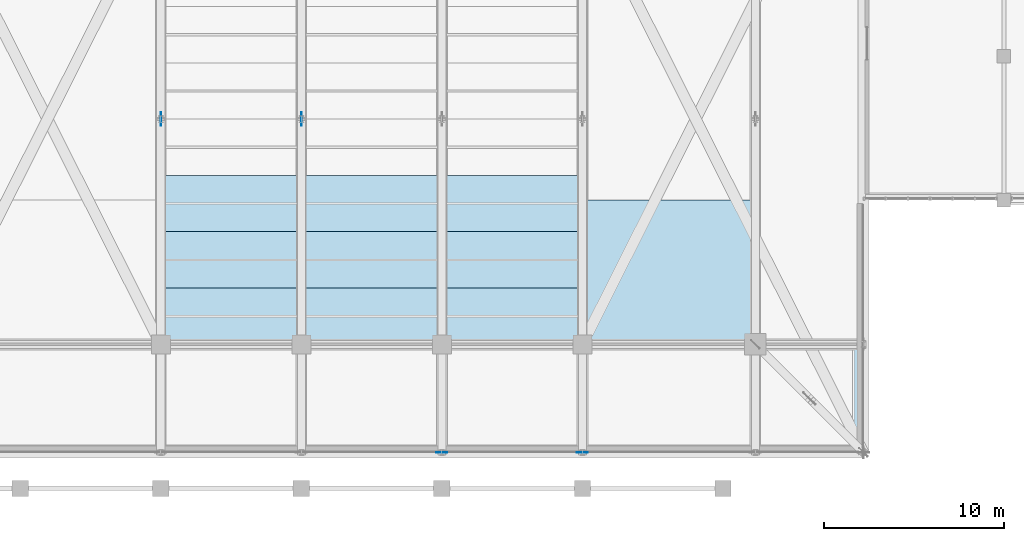
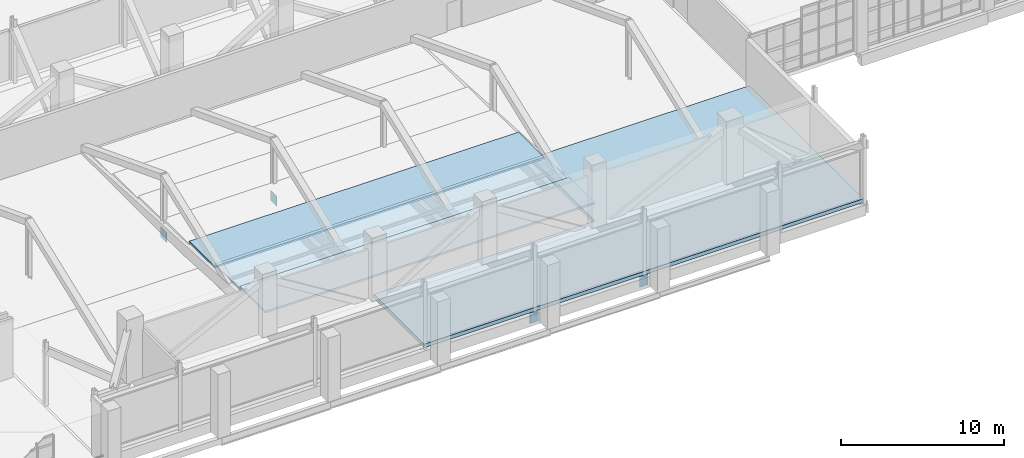
# One storey, part 92 of 127: 4 plates, 4 slabs.
"""IFC4 building model written with IfcOpenShell, lengths in metres."""

from ifc_helpers import new_model, si_unit, derived_unit, direction, frame, origin, origin_2d, place, context, subcontext, project, spatial, polyline, rectangle, outline, extrude, material, layer, layer_set, type_object, element, save


model = new_model("IFC4")

# Units and contexts
model_context = context("Model", 3, precision=1e-05, world=origin(), true_north=direction((0.0, 1.0)))
body_context = subcontext(model_context, "Body", "Model", "MODEL_VIEW")
ifc_project = project(units=[si_unit("LENGTHUNIT", "METRE"), si_unit("AREAUNIT", "SQUARE_METRE"), si_unit("VOLUMEUNIT", "CUBIC_METRE"), si_unit("PLANEANGLEUNIT", "RADIAN"), si_unit("MASSUNIT", "GRAM", prefix="KILO"), derived_unit("THERMALTRANSMITTANCEUNIT", [(si_unit("POWERUNIT", "WATT"), 1), (si_unit("LENGTHUNIT", "METRE"), -2), (si_unit("THERMODYNAMICTEMPERATUREUNIT", "KELVIN"), -1)])], contexts=[model_context])

# Site, building, storey
site_placement = place(None, origin())
site = spatial("IfcSite", under=ifc_project, at=site_placement, CompositionType="ELEMENT")
building_placement = place(site_placement, origin())
building = spatial("IfcBuilding", under=site, at=building_placement, Name="Nallur Shell Playhouse", CompositionType="ELEMENT")
storey_placement = place(building_placement, frame((0.0, 0.0, 5.39990234375)))
storey = spatial("IfcBuildingStorey", under=building, at=storey_placement, Name="L02", CompositionType="ELEMENT", Elevation=5.39990234375)

# Plates
ifc_material_1 = material(Name="Steel E350", Category="steel")
ifc_layer_1 = layer(ifc_material_1, 0.02001953125)
ifc_layer_set_1 = layer_set([ifc_layer_1], Name="Steel E350")
plate_type_1 = type_object("IfcPlateType", Name="PT-ENDCAP-20", PredefinedType="SHEET", material=ifc_layer_set_1)
for number, where, z_axis, x_axis, name in (
    (1, (95.199951171875, 9.989990234375, -1.080078125), (0.0, 0.0, 1.0), (1.0, 0.0, 0.0), "Hollow end cap EC-TT-6-BC0"),
    (2, (103.0, 9.989990234375, -1.080078125), (0.0, 0.0, 1.0), (1.0, 0.0, 0.0), "Hollow end cap EC-TT-7-BC0"),
):
    element("IfcPlate", number, at=place(storey_placement, frame(where, z_axis=z_axis, x_axis=x_axis)), inside=storey, type_object=plate_type_1, Name=name, PredefinedType="SHEET", context=body_context, shape_type="SweptSolid", body=[
        extrude(rectangle(XDim=0.60009765625, YDim=0.02001953125, at=origin_2d()), origin(), (0.0, 0.0, 1.0), 0.800048828125),
    ])
ifc_layer_2 = layer(ifc_material_1, 0.02490234375)
ifc_layer_set_2 = layer_set([ifc_layer_2], Name="Steel E350")
plate_type_2 = type_object("IfcPlateType", Name="PT-GUSSET-25", PredefinedType="USERDEFINED", material=ifc_layer_set_2)
for number, where, z_axis, x_axis, name in (
    (3, (79.60009765625, 28.5, -0.635009765625), (0.0, 0.0, 1.0), (1.0, 0.0, 0.0), "Transfer truss node gusset plate TN-01 (TT-4-3)"),
    (4, (87.39990234375, 28.5, -0.635009765625), (0.0, 0.0, 1.0), (1.0, 0.0, 0.0), "Transfer truss node gusset plate TN-01 (TT-5-3)"),
):
    element("IfcPlate", number, at=place(storey_placement, frame(where, z_axis=z_axis, x_axis=x_axis)), inside=storey, type_object=plate_type_2, Name=name, ObjectType="GUSSET PLATE", PredefinedType="USERDEFINED", context=body_context, shape_type="SweptSolid", body=[
        extrude(rectangle(XDim=0.02490234375, YDim=0.75, at=origin_2d()), origin(), (0.0, 0.0, 1.0), 0.75),
    ])

# Slabs
ifc_material_2 = material(Name="Precast concrete M40", Category="concrete")
ifc_layer_3 = layer(ifc_material_2, 0.139892578125)
ifc_layer_set_3 = layer_set([ifc_layer_3], Name="Precast concrete M40")
slab_type_1 = type_object("IfcSlabType", Name="SL-TIER-140", PredefinedType="USERDEFINED", material=ifc_layer_set_3)
slab_1_placement = place(storey_placement, frame((0.0, 0.0, 1.010009765625)))
element("IfcSlab", 5, at=slab_1_placement, inside=storey, type_object=slab_type_1, Name="Stand stalls seating tier row 6", ObjectType="SEATING TIER", PredefinedType="USERDEFINED", context=body_context, shape_type="SweptSolid", body=[
    extrude(outline(polyline([(79.60009765625, 25.375), (103.0, 25.375), (103.0, 22.25), (79.60009765625, 22.25), (79.60009765625, 25.375)])), origin(), (0.0, 0.0, 1.0), 0.14013671875),
])
slab_2_placement = place(storey_placement, frame((0.0, 0.0, 1.210205078125)))
element("IfcSlab", 6, at=slab_2_placement, inside=storey, type_object=slab_type_1, Name="Stand stalls seating tier row 7", ObjectType="SEATING TIER", PredefinedType="USERDEFINED", context=body_context, shape_type="SweptSolid", body=[
    extrude(outline(polyline([(79.60009765625, 22.25), (103.0, 22.25), (103.0, 19.125), (79.60009765625, 19.125), (79.60009765625, 22.25)])), origin(), (0.0, 0.0, 1.0), 0.139892578125),
])
slab_3_placement = place(storey_placement, frame((0.0, 0.0, 1.41015625)))
element("IfcSlab", 7, at=slab_3_placement, inside=storey, type_object=slab_type_1, Name="Stand stalls seating tier row 8", ObjectType="SEATING TIER", PredefinedType="USERDEFINED", context=body_context, shape_type="SweptSolid", body=[
    extrude(outline(polyline([(79.60009765625, 19.125), (103.0, 19.125), (103.0, 16.0), (79.60009765625, 16.0), (79.60009765625, 19.125)])), origin(), (0.0, 0.0, 1.0), 0.139892578125),
])
ifc_material_3 = material(Name="Concrete M40", Category="concrete")
ifc_layer_4 = layer(ifc_material_3, 0.280029296875)
ifc_layer_set_4 = layer_set([ifc_layer_4], Name="Concrete M40")
slab_type_2 = type_object("IfcSlabType", Name="SL-TRANS-280", PredefinedType="FLOOR", material=ifc_layer_set_4)
slab_4_placement = place(storey_placement, frame((0.0, 0.0, -0.27978515625)))
element("IfcSlab", 8, at=slab_4_placement, inside=storey, type_object=slab_type_2, Name="L02 structural floor slab panel 15", PredefinedType="FLOOR", context=body_context, shape_type="SweptSolid", body=[
    extrude(outline(polyline([(118.60009765625, 10.0), (87.39990234375, 10.0), (87.39990234375, 16.199951171875), (103.10009765625, 16.199951171875), (103.10009765625, 24.0), (118.60009765625, 24.0), (118.60009765625, 10.0)])), origin(), (0.0, 0.0, 1.0), 0.27978515625),
])

save(model, "model.ifc")
